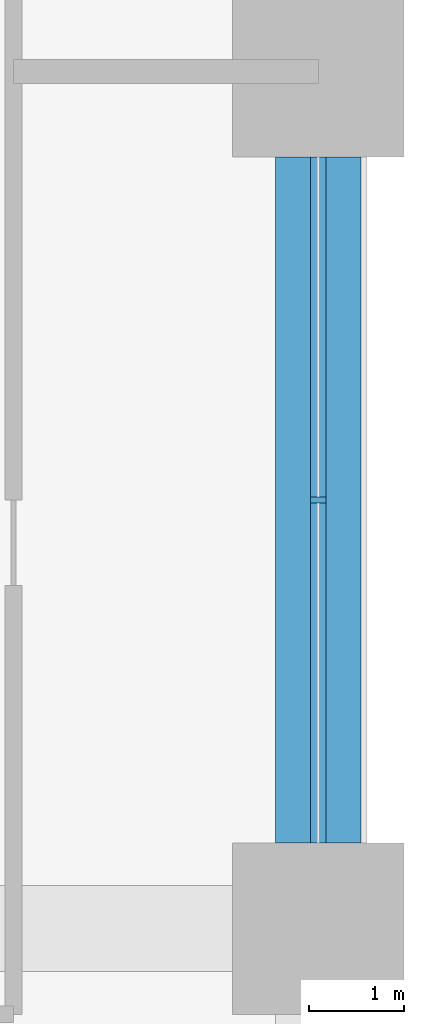
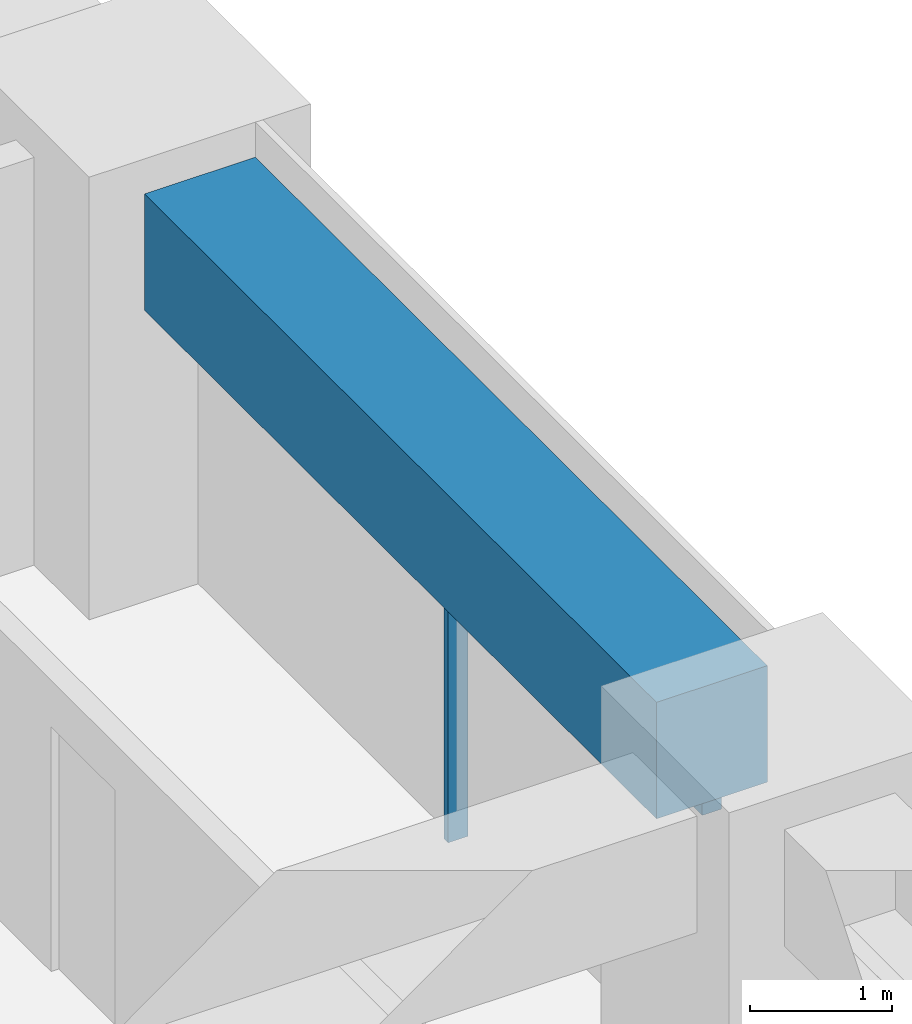
# One storey, part 7 of 21: 2 members, 1 beam, 1 element without a shape of its own.
"""IFC4 building model written with IfcOpenShell, lengths in metres."""

from ifc_helpers import new_model, si_unit, direction, frame, origin, origin_2d, place, context, subcontext, project, spatial, rectangle, extrude, material, material_profile, profile_set, type_object, element, aggregate, save


model = new_model("IFC4")

# Units and contexts
model_context = context("Model", 3, precision=1e-05, world=origin(), true_north=direction((0.0, 1.0)))
body_context = subcontext(model_context, "Body", "Model", "MODEL_VIEW")
ifc_project = project(units=[si_unit("LENGTHUNIT", "METRE"), si_unit("AREAUNIT", "SQUARE_METRE"), si_unit("VOLUMEUNIT", "CUBIC_METRE"), si_unit("PLANEANGLEUNIT", "RADIAN"), si_unit("MASSUNIT", "GRAM", prefix="KILO")], contexts=[model_context])

# Site, building, storey
site_placement = place(None, origin())
site = spatial("IfcSite", under=ifc_project, at=site_placement, CompositionType="ELEMENT")
building_placement = place(site_placement, origin())
building = spatial("IfcBuilding", under=site, at=building_placement, Name="Tessera Arch", CompositionType="ELEMENT")
storey_placement = place(building_placement, frame((0.0, 0.0, 65.199951171875)))
storey = spatial("IfcBuildingStorey", under=building, at=storey_placement, Name="L14", CompositionType="ELEMENT", Elevation=65.199951171875)

# Curtain wall, members
ifc_material_1 = material(Name="CW1 curtain wall")
curtain_wall_type = type_object("IfcCurtainWallType", Name="CW1 curtain wall", PredefinedType="NOTDEFINED", material=ifc_material_1)
curtain_wall_placement = place(storey_placement, origin())
curtain_wall = element("IfcCurtainWall", 1, at=curtain_wall_placement, inside=storey, type_object=curtain_wall_type, Name="CW1 curtain wall E54.0/3 L14", PredefinedType="NOTDEFINED")
ifc_material_2 = material(Name="Anodised aluminium pale metal", Category="aluminium")
ifc_material_profile_1 = material_profile(ifc_material_2, rectangle(XDim=0.159912109375, YDim=0.06005859375, at=origin_2d()), Name="AL 60x160")
ifc_profile_set_1 = profile_set([ifc_material_profile_1], Name="Anodised aluminium pale metal")
member_type_1 = type_object("IfcMemberType", Name="CW1 mullion", PredefinedType="MULLION", material=ifc_profile_set_1)
member_1_placement = place(storey_placement, frame((54.0, 31.5, 0.0), z_axis=(0.0, 0.0, 1.0), x_axis=(-1.0, 0.0, 0.0)))
member_1 = element("IfcMember", 2, at=member_1_placement, type_object=member_type_1, Name="CW1 mullion E54.0/3 1", PredefinedType="MULLION", context=body_context, shape_type="SweptSolid", body=[
    extrude(rectangle(XDim=0.159912109375, YDim=0.06005859375, at=origin_2d()), origin(), (0.0, 0.0, 1.0), 2.400146484375),
])
ifc_material_3 = material(Name="Anodised aluminium pale metal", Category="aluminium")
ifc_material_profile_2 = material_profile(ifc_material_3, rectangle(XDim=0.159912109375, YDim=0.10009765625, at=origin_2d()), Name="AL 160x100")
ifc_profile_set_2 = profile_set([ifc_material_profile_2], Name="Anodised aluminium pale metal")
member_type_2 = type_object("IfcMemberType", Name="CW1 transom", PredefinedType="USERDEFINED", material=ifc_profile_set_2)
member_2_placement = place(storey_placement, frame((54.0, 27.89990234375, 2.449951171875), z_axis=(0.0, 1.0, 0.0), x_axis=(-1.0, 0.0, 0.0)))
member_2 = element("IfcMember", 3, at=member_2_placement, type_object=member_type_2, Name="CW1 transom E54.0/3 1.1", ObjectType="TRANSOM", PredefinedType="USERDEFINED", context=body_context, shape_type="SweptSolid", body=[
    extrude(rectangle(XDim=0.159912109375, YDim=0.10009765625, at=origin_2d()), origin(), (0.0, 0.0, 1.0), 7.2001953125),
])
aggregate(curtain_wall, [member_1, member_2])

# Beam
ifc_material_4 = material(Name="Concrete C80/95", Category="concrete")
ifc_material_profile_3 = material_profile(ifc_material_4, rectangle(XDim=0.89990234375, YDim=1.0, at=origin_2d()), Name="RC spandrel beam 900 x 1000 Concrete C80/95")
ifc_profile_set_3 = profile_set([ifc_material_profile_3], Name="Concrete C80/95")
beam_type = type_object("IfcBeamType", Name="RC spandrel beam 900 x 1000 Concrete C80/95", PredefinedType="BEAM", material=ifc_profile_set_3)
beam_placement = place(storey_placement, frame((54.0, 27.89990234375, 3.0), z_axis=(0.0, 1.0, 0.0), x_axis=(-1.0, 0.0, 0.0)))
element("IfcBeam", 4, at=beam_placement, inside=storey, type_object=beam_type, Name="Spandrel beam L14 E54.0/3", PredefinedType="BEAM", context=body_context, shape_type="SweptSolid", body=[
    extrude(rectangle(XDim=0.89990234375, YDim=1.0, at=origin_2d()), origin(), (0.0, 0.0, 1.0), 7.2001953125),
])

save(model, "model.ifc")
